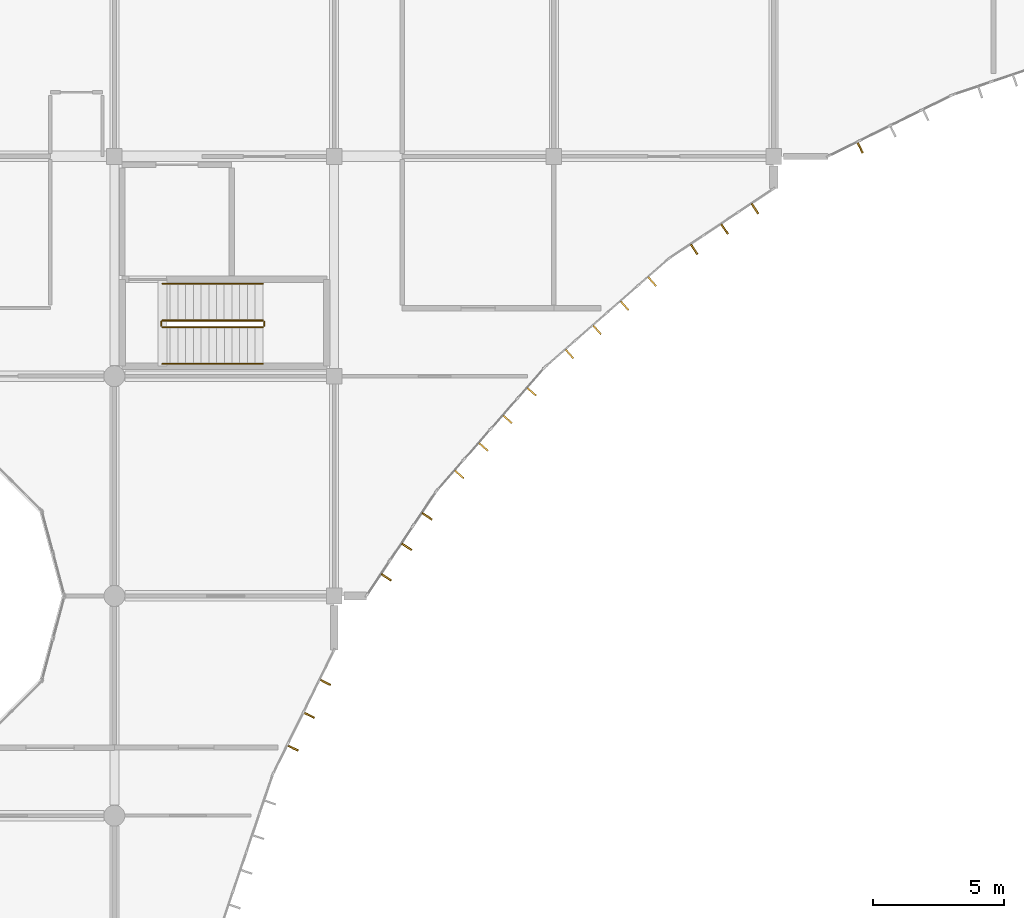
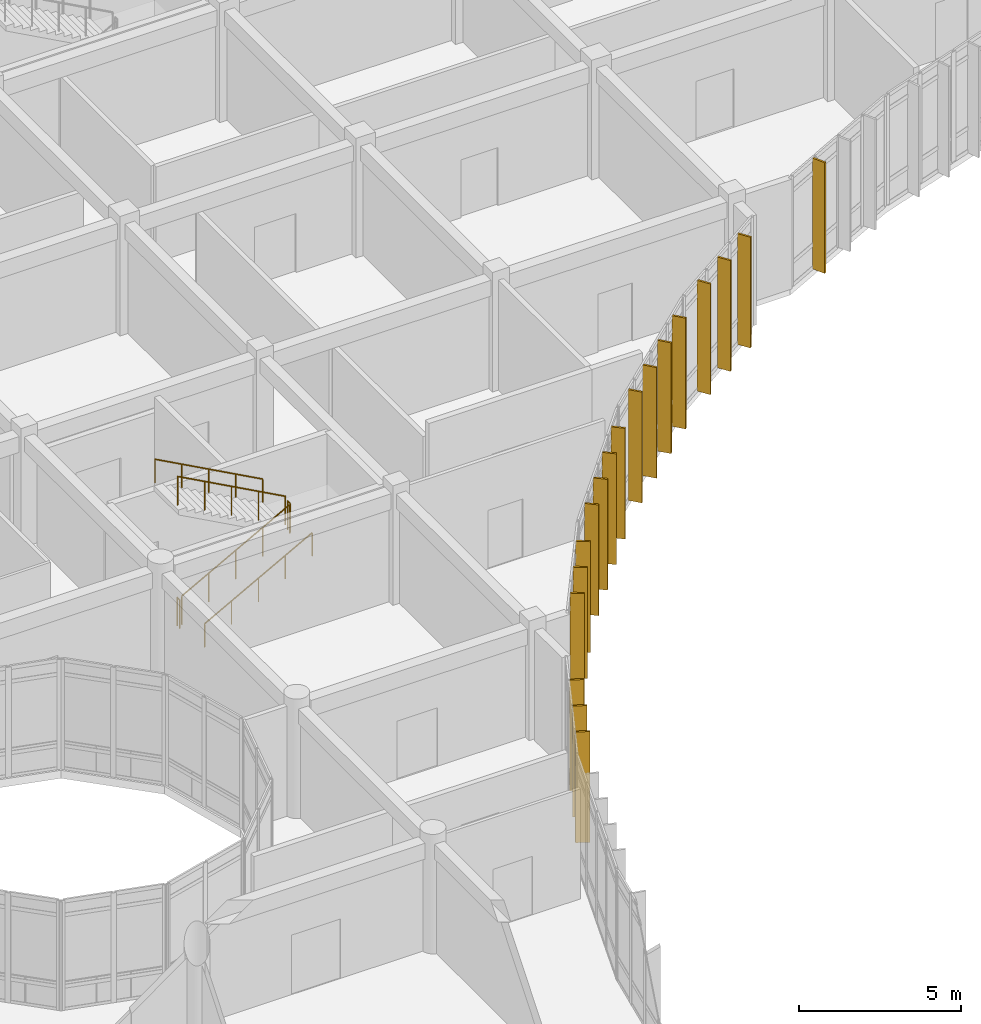
# One storey, part 141 of 144: 18 shading devices, 6 railings.
"""IFC4 building model written with IfcOpenShell, lengths in metres."""

from ifc_helpers import new_model, si_unit, direction, frame, origin, origin_2d, place, context, subcontext, project, spatial, rectangle, circle, extrude, material, material_profile, profile_set, type_object, element, save


model = new_model("IFC4")

# Units and contexts
model_context = context("Model", 3, precision=1e-05, world=origin(), true_north=direction((0.0, 1.0)))
body_context = subcontext(model_context, "Body", "Model", "MODEL_VIEW")
ifc_project = project(units=[si_unit("LENGTHUNIT", "METRE"), si_unit("AREAUNIT", "SQUARE_METRE"), si_unit("VOLUMEUNIT", "CUBIC_METRE"), si_unit("PLANEANGLEUNIT", "RADIAN"), si_unit("MASSUNIT", "GRAM", prefix="KILO")], contexts=[model_context])

# Site, building, storey
site_placement = place(None, origin())
site = spatial("IfcSite", under=ifc_project, at=site_placement, CompositionType="ELEMENT")
building_placement = place(site_placement, origin())
building = spatial("IfcBuilding", under=site, at=building_placement, Name="Bramfleet General Hospital", CompositionType="ELEMENT")
storey_placement = place(building_placement, frame((0.0, 0.0, 4.800048828125)))
storey = spatial("IfcBuildingStorey", under=building, at=storey_placement, Name="L01", CompositionType="ELEMENT", Elevation=4.800048828125)

# Railings
ifc_material_1 = material(Name="Powder-coated steel stair balustrade", Category="steel")
railing_type_1 = type_object("IfcRailingType", Name="RAIL-ST-GUARD", PredefinedType="GUARDRAIL", material=ifc_material_1)
railing_1_placement = place(storey_placement, frame((127.840087890625, 77.469970703125, 0.16064453125)))
element("IfcRailing", 1, at=railing_1_placement, inside=storey, type_object=railing_type_1, Name="L01 ST-C12 stair guard 1", PredefinedType="GUARDRAIL", context=body_context, shape_type="SweptSolid", body=[
    extrude(circle(Radius=0.02392578125, at=origin_2d()), frame((0.0, 0.0, 1.076171875), z_axis=(0.878130475078, 0.0, 0.478421225218), x_axis=(0.0, 1.0, 0.0)), (0.0, 0.0, 1.0), 4.3671875),
    extrude(circle(Radius=0.02099609375, at=origin_2d()), origin(), (0.0, 0.0, 1.0), 1.052001953125),
    extrude(circle(Radius=0.02099609375, at=origin_2d()), frame((0.958740234375, 0.0, 0.5224609375)), (0.0, 0.0, 1.0), 1.052001953125),
    extrude(circle(Radius=0.02099609375, at=origin_2d()), frame((1.91748046875, 0.0, 1.044677734375)), (0.0, 0.0, 1.0), 1.052001953125),
    extrude(circle(Radius=0.02099609375, at=origin_2d()), frame((2.876220703125, 0.0, 1.56689453125)), (0.0, 0.0, 1.0), 1.052001953125),
    extrude(circle(Radius=0.02099609375, at=origin_2d()), frame((3.8349609375, 0.0, 2.08935546875)), (0.0, 0.0, 1.0), 1.052001953125),
])
railing_2_placement = place(storey_placement, frame((131.72509765625, 77.52001953125, 2.25)))
element("IfcRailing", 2, at=railing_2_placement, inside=storey, type_object=railing_type_1, Name="L01 ST-C12 stair guard 2", PredefinedType="GUARDRAIL", context=body_context, shape_type="SweptSolid", body=[
    extrude(circle(Radius=0.02392578125, at=origin_2d()), frame((0.0, 0.0, 1.076171875), z_axis=(0.0, 1.0, 0.0), x_axis=(-1.0, 0.0, 0.0)), (0.0, 0.0, 1.0), 0.159912109375),
    extrude(circle(Radius=0.02099609375, at=origin_2d()), origin(), (0.0, 0.0, 1.0), 1.052001953125),
    extrude(circle(Radius=0.02099609375, at=origin_2d()), frame((0.0, 0.159912109375, 0.0)), (0.0, 0.0, 1.0), 1.052001953125),
])
railing_3_placement = place(storey_placement, frame((131.675048828125, 77.72998046875, 2.41064453125)))
element("IfcRailing", 3, at=railing_3_placement, inside=storey, type_object=railing_type_1, Name="L01 ST-C12 stair guard 3", PredefinedType="GUARDRAIL", context=body_context, shape_type="SweptSolid", body=[
    extrude(circle(Radius=0.02392578125, at=origin_2d()), frame((0.0, 0.0, 1.076171875), z_axis=(-0.878130475078, 0.0, 0.478421225218), x_axis=(0.0, -1.0, 0.0)), (0.0, 0.0, 1.0), 4.3671875),
    extrude(circle(Radius=0.02099609375, at=origin_2d()), origin(), (0.0, 0.0, 1.0), 1.052001953125),
    extrude(circle(Radius=0.02099609375, at=origin_2d()), frame((-0.958740234375, 0.0, 0.5224609375)), (0.0, 0.0, 1.0), 1.052001953125),
    extrude(circle(Radius=0.02099609375, at=origin_2d()), frame((-1.91748046875, 0.0, 1.044677734375)), (0.0, 0.0, 1.0), 1.052001953125),
    extrude(circle(Radius=0.02099609375, at=origin_2d()), frame((-2.876220703125, 0.0, 1.56689453125)), (0.0, 0.0, 1.0), 1.052001953125),
    extrude(circle(Radius=0.02099609375, at=origin_2d()), frame((-3.8349609375, 0.0, 2.08935546875)), (0.0, 0.0, 1.0), 1.052001953125),
])
railing_4_placement = place(storey_placement, frame((127.7900390625, 77.52001953125, 0.0)))
element("IfcRailing", 4, at=railing_4_placement, inside=storey, type_object=railing_type_1, Name="L01 ST-C12 stair guard 4", PredefinedType="GUARDRAIL", context=body_context, shape_type="SweptSolid", body=[
    extrude(circle(Radius=0.02392578125, at=origin_2d()), frame((0.0, 0.0, 1.076171875), z_axis=(0.0, 1.0, 0.0), x_axis=(-1.0, 0.0, 0.0)), (0.0, 0.0, 1.0), 0.159912109375),
    extrude(circle(Radius=0.02099609375, at=origin_2d()), origin(), (0.0, 0.0, 1.0), 1.052001953125),
    extrude(circle(Radius=0.02099609375, at=origin_2d()), frame((0.0, 0.159912109375, 0.0)), (0.0, 0.0, 1.0), 1.052001953125),
])
ifc_material_2 = material(Name="Stainless steel 1.4301 stair handrail", Category="steel")
railing_type_2 = type_object("IfcRailingType", Name="RAIL-ST-HND", PredefinedType="HANDRAIL", material=ifc_material_2)
railing_5_placement = place(storey_placement, frame((127.840087890625, 76.070068359375, 0.16064453125)))
element("IfcRailing", 5, at=railing_5_placement, inside=storey, type_object=railing_type_2, Name="L01 ST-C12 stair handrail 1", PredefinedType="HANDRAIL", context=body_context, shape_type="SweptSolid", body=[
    extrude(circle(Radius=0.02392578125, at=origin_2d()), frame((0.0, 0.0, 0.8759765625), z_axis=(0.878130475078, 0.0, 0.478421225218), x_axis=(0.0, 1.0, 0.0)), (0.0, 0.0, 1.0), 4.3671875),
    extrude(circle(Radius=0.02099609375, at=origin_2d()), origin(), (0.0, 0.0, 1.0), 0.851806640625),
    extrude(circle(Radius=0.02099609375, at=origin_2d()), frame((0.958740234375, 0.0, 0.5224609375)), (0.0, 0.0, 1.0), 0.851806640625),
    extrude(circle(Radius=0.02099609375, at=origin_2d()), frame((1.91748046875, 0.0, 1.044677734375)), (0.0, 0.0, 1.0), 0.851806640625),
    extrude(circle(Radius=0.02099609375, at=origin_2d()), frame((2.876220703125, 0.0, 1.56689453125)), (0.0, 0.0, 1.0), 0.851806640625),
    extrude(circle(Radius=0.02099609375, at=origin_2d()), frame((3.8349609375, 0.0, 2.08935546875)), (0.0, 0.0, 1.0), 0.851806640625),
])
railing_6_placement = place(storey_placement, frame((131.675048828125, 79.1298828125, 2.41064453125)))
element("IfcRailing", 6, at=railing_6_placement, inside=storey, type_object=railing_type_2, Name="L01 ST-C12 stair handrail 2", PredefinedType="HANDRAIL", context=body_context, shape_type="SweptSolid", body=[
    extrude(circle(Radius=0.02392578125, at=origin_2d()), frame((0.0, 0.0, 0.8759765625), z_axis=(-0.878130475078, 0.0, 0.478421225218), x_axis=(0.0, -1.0, 0.0)), (0.0, 0.0, 1.0), 4.3671875),
    extrude(circle(Radius=0.02099609375, at=origin_2d()), origin(), (0.0, 0.0, 1.0), 0.851806640625),
    extrude(circle(Radius=0.02099609375, at=origin_2d()), frame((-0.958740234375, 0.0, 0.5224609375)), (0.0, 0.0, 1.0), 0.851806640625),
    extrude(circle(Radius=0.02099609375, at=origin_2d()), frame((-1.91748046875, 0.0, 1.044677734375)), (0.0, 0.0, 1.0), 0.851806640625),
    extrude(circle(Radius=0.02099609375, at=origin_2d()), frame((-2.876220703125, 0.0, 1.56689453125)), (0.0, 0.0, 1.0), 0.851806640625),
    extrude(circle(Radius=0.02099609375, at=origin_2d()), frame((-3.8349609375, 0.0, 2.08935546875)), (0.0, 0.0, 1.0), 0.851806640625),
])

# Shading devices
ifc_material_3 = material(Name="Treated European larch timber", Category="wood")
ifc_material_profile = material_profile(ifc_material_3, rectangle(XDim=0.06494140625, YDim=0.449951171875, at=origin_2d()), Name="LARCH FIN 450x65")
ifc_profile_set = profile_set([ifc_material_profile], Name="Treated European larch timber")
shading_device_type = type_object("IfcShadingDeviceType", Name="SHD-FIN-450", PredefinedType="USERDEFINED", material=ifc_profile_set)
for number, where, z_axis, x_axis, name in (
    (7, (154.5029296875, 84.33837890625, -0.02001953125), (0.0, 0.0, 1.0), (-0.896864723513, -0.442304948782, 0.0), "L01 Larch Timber Shading Fin 214"),
    (8, (150.487060546875, 82.002197265625, -0.02001953125), (0.0, 0.0, 1.0), (-0.831540898988, -0.555463530135, 0.0), "L01 Larch Timber Shading Fin 215"),
    (9, (149.32275390625, 81.224365234375, -0.02001953125), (0.0, 0.0, 1.0), (-0.831540898988, -0.555463530135, 0.0), "L01 Larch Timber Shading Fin 216"),
    (10, (148.15869140625, 80.44677734375, -0.02001953125), (0.0, 0.0, 1.0), (-0.831540898988, -0.555463530135, 0.0), "L01 Larch Timber Shading Fin 217"),
    (11, (146.555908203125, 79.21533203125, -0.02001953125), (0.0, 0.0, 1.0), (-0.75178681735, -0.659406233864, 0.0), "L01 Larch Timber Shading Fin 218"),
    (12, (145.50341796875, 78.292236328125, -0.02001953125), (0.0, 0.0, 1.0), (-0.75178681735, -0.659406233864, 0.0), "L01 Larch Timber Shading Fin 219"),
    (13, (144.450927734375, 77.368896484375, -0.02001953125), (0.0, 0.0, 1.0), (-0.75178681735, -0.659406233864, 0.0), "L01 Larch Timber Shading Fin 220"),
    (14, (143.3984375, 76.44580078125, -0.02001953125), (0.0, 0.0, 1.0), (-0.75178681735, -0.659406233864, 0.0), "L01 Larch Timber Shading Fin 221"),
    (15, (141.9541015625, 75.00146484375, -0.02001953125), (0.0, 0.0, 1.0), (-0.659406233864, -0.75178681735, 0.0), "L01 Larch Timber Shading Fin 222"),
    (16, (141.031005859375, 73.948974609375, -0.02001953125), (0.0, 0.0, 1.0), (-0.659406233864, -0.75178681735, 0.0), "L01 Larch Timber Shading Fin 223"),
    (17, (140.10791015625, 72.896484375, -0.02001953125), (0.0, 0.0, 1.0), (-0.659406233864, -0.75178681735, 0.0), "L01 Larch Timber Shading Fin 224"),
    (18, (139.184814453125, 71.843994140625, -0.02001953125), (0.0, 0.0, 1.0), (-0.659406233864, -0.75178681735, 0.0), "L01 Larch Timber Shading Fin 225"),
    (19, (137.953125, 70.2412109375, -0.02001953125), (0.0, 0.0, 1.0), (-0.555463530135, -0.831540898988, 0.0), "L01 Larch Timber Shading Fin 226"),
    (20, (137.175537109375, 69.0771484375, -0.02001953125), (0.0, 0.0, 1.0), (-0.555463530135, -0.831540898988, 0.0), "L01 Larch Timber Shading Fin 227"),
    (21, (136.39794921875, 67.9130859375, -0.02001953125), (0.0, 0.0, 1.0), (-0.555463530135, -0.831540898988, 0.0), "L01 Larch Timber Shading Fin 228"),
    (22, (134.0615234375, 63.89697265625, -0.02001953125), (0.0, 0.0, 1.0), (-0.442304948782, -0.896864723513, 0.0), "L01 Larch Timber Shading Fin 229"),
    (23, (133.442138671875, 62.641357421875, -0.02001953125), (0.0, 0.0, 1.0), (-0.442304948782, -0.896864723513, 0.0), "L01 Larch Timber Shading Fin 230"),
    (24, (132.822998046875, 61.3857421875, -0.02001953125), (0.0, 0.0, 1.0), (-0.442304948782, -0.896864723513, 0.0), "L01 Larch Timber Shading Fin 231"),
):
    element("IfcShadingDevice", number, at=place(storey_placement, frame(where, z_axis=z_axis, x_axis=x_axis)), inside=storey, type_object=shading_device_type, Name=name, ObjectType="Fin", PredefinedType="USERDEFINED", context=body_context, shape_type="SweptSolid", body=[
        extrude(rectangle(XDim=0.06494140625, YDim=0.449951171875, at=origin_2d()), origin(), (0.0, 0.0, 1.0), 4.169921875),
    ])

save(model, "model.ifc")
